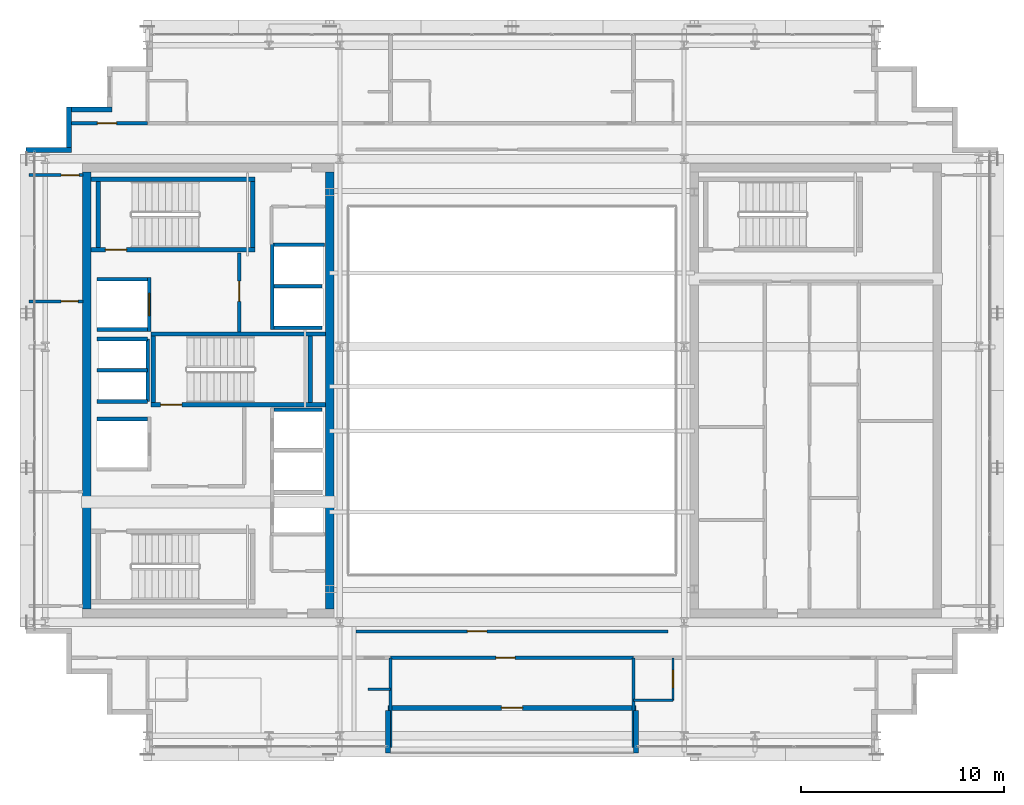
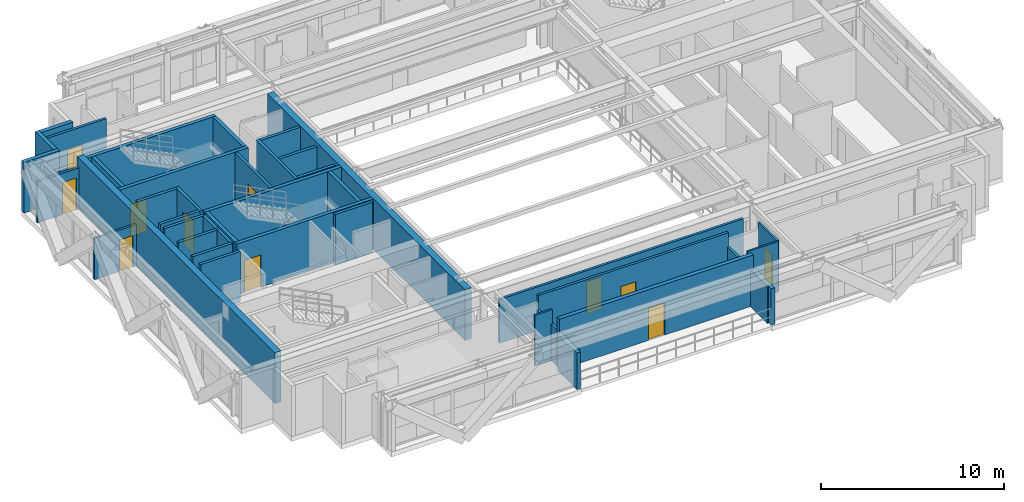
# One storey, part 22 of 29: 40 walls, 11 doors, 11 openings.
"""IFC4 building model written with IfcOpenShell, lengths in metres."""

from ifc_helpers import new_model, si_unit, direction, frame, frame_2d, origin, place, context, subcontext, project, spatial, rectangle, extrude, source, transform, mapped, material, layer, layer_set, type_object, element, fill, save


model = new_model("IFC4")

# Units and contexts
model_context = context("Model", 3, precision=1e-05, world=origin(), true_north=direction((0.0, 1.0)))
body_context = subcontext(model_context, "Body", "Model", "MODEL_VIEW")
ifc_project = project(units=[si_unit("LENGTHUNIT", "METRE"), si_unit("AREAUNIT", "SQUARE_METRE"), si_unit("VOLUMEUNIT", "CUBIC_METRE"), si_unit("PLANEANGLEUNIT", "RADIAN"), si_unit("MASSUNIT", "GRAM", prefix="KILO")], contexts=[model_context])

# Site, building, storey
site_placement = place(None, origin())
site = spatial("IfcSite", under=ifc_project, at=site_placement, CompositionType="ELEMENT")
building_placement = place(site_placement, origin())
building = spatial("IfcBuilding", under=site, at=building_placement, Name="Ocotamira Hotel", CompositionType="ELEMENT")
storey_placement = place(building_placement, frame((0.0, 0.0, 247.199951171875)))
storey = spatial("IfcBuildingStorey", under=building, at=storey_placement, Name="L62", CompositionType="ELEMENT", Elevation=247.199951171875)

# Walls
ifc_material_1 = material(Name="Concrete C50/60", Category="concrete")
ifc_layer_1 = layer(ifc_material_1, 0.39990234375)
ifc_layer_set_1 = layer_set([ifc_layer_1], Name="Concrete C50/60")
wall_type_1 = type_object("IfcWallType", Name="WL-CORE-400", PredefinedType="SHEAR", material=ifc_layer_set_1)
for number, where, z_axis, x_axis, name in (
    (1, (11.0, 15.199951171875, 0.0), (0.0, 0.0, 1.0), (0.0, 1.0, 0.0), "L62 Shear Core Wall WCORE-W"),
    (2, (23.0, 15.199951171875, 0.0), (0.0, 0.0, 1.0), (0.0, 1.0, 0.0), "L62 Shear Core Wall WCORE-E"),
):
    element("IfcWall", number, at=place(storey_placement, frame(where, z_axis=z_axis, x_axis=x_axis)), inside=storey, type_object=wall_type_1, Name=name, PredefinedType="SHEAR", context=body_context, shape_type="SweptSolid", body=[
        extrude(rectangle(XDim=21.60009765625, YDim=0.39990234375, at=frame_2d((10.800048828125, 0.0))), origin(), (0.0, 0.0, 1.0), 3.380126953125),
    ])
ifc_material_2 = material(Name="Precast concrete C45/55", Category="concrete")
ifc_layer_2 = layer(ifc_material_2, 0.25)
ifc_layer_set_2 = layer_set([ifc_layer_2], Name="Precast concrete C45/55")
wall_type_2 = type_object("IfcWallType", Name="WL-EXT-SER-250", PredefinedType="SOLIDWALL", material=ifc_layer_set_2)
for number, where, z_axis, x_axis, name in (
    (3, (12.25, 39.875, 0.0), (0.0, 0.0, 1.0), (-1.0, 0.0, 0.0), "L62 Serrated Corner Wall 16"),
    (4, (10.125, 40.0, 0.0), (0.0, 0.0, 1.0), (0.0, -1.0, 0.0), "L62 Serrated Corner Wall 17"),
):
    element("IfcWall", number, at=place(storey_placement, frame(where, z_axis=z_axis, x_axis=x_axis)), inside=storey, type_object=wall_type_2, Name=name, PredefinedType="SOLIDWALL", context=body_context, shape_type="SweptSolid", body=[
        extrude(rectangle(XDim=2.0, YDim=0.25, at=frame_2d((1.0, 0.0))), origin(), (0.0, 0.0, 1.0), 3.380126953125),
    ])
wall_1_placement = place(storey_placement, frame((10.25, 37.875, 0.0), z_axis=(0.0, 0.0, 1.0), x_axis=(-1.0, 0.0, 0.0)))
element("IfcWall", 5, at=wall_1_placement, inside=storey, type_object=wall_type_2, Name="L62 Serrated Corner Wall 18", PredefinedType="SOLIDWALL", context=body_context, shape_type="SweptSolid", body=[
    extrude(rectangle(XDim=2.25, YDim=0.25, at=frame_2d((1.125, 0.0))), origin(), (0.0, 0.0, 1.0), 3.380126953125),
])

# Wall, opening, door
wall_2_placement = place(storey_placement, frame((25.875, 10.324951171875, 0.0), z_axis=(0.0, 0.0, 1.0), x_axis=(1.0, 0.0, 0.0)))
wall_2 = element("IfcWall", 6, at=wall_2_placement, inside=storey, type_object=wall_type_2, Name="L62 Sky Terrace Back Wall 1", PredefinedType="SOLIDWALL", context=body_context, shape_type="SweptSolid", body=[
    extrude(rectangle(XDim=12.25, YDim=0.25, at=frame_2d((6.125, 0.0))), origin(), (0.0, 0.0, 1.0), 3.380126953125),
])
opening_1_placement = place(wall_2_placement, frame((5.60009765625, 0.0, 0.0)))
opening_1 = element("IfcOpeningElement", 7, at=opening_1_placement, cuts=wall_2, Name="Opening ED-3", PredefinedType="OPENING", context=body_context, shape_type="SweptSolid", body=[
    extrude(rectangle(XDim=1.050048828125, YDim=2.14990234375, at=frame_2d((0.52490234375, 1.074951171875))), frame((0.0, 0.135009765625, 0.0), z_axis=(0.0, -1.0, 0.0), x_axis=(1.0, 0.0, 0.0)), (0.0, 0.0, 1.0), 0.27001953125),
])
ifc_material_3 = material(Name="Thermally broken aluminium glazed door", Category="aluminium")
door_type_1 = type_object("IfcDoorType", Name="DR-TERR-1050", OperationType="NOTDEFINED", PredefinedType="DOOR", material=ifc_material_3)
shared_shape_1 = source(origin(), body_context, "Body", "SweptSolid", [
    extrude(rectangle(XDim=1.050048828125, YDim=2.14990234375, at=frame_2d((0.52490234375, 1.074951171875))), frame((0.0, 0.02490234375, 0.0), z_axis=(0.0, -1.0, 0.0), x_axis=(1.0, 0.0, 0.0)), (0.0, 0.0, 1.0), 0.050048828125),
])
door_1_placement = place(opening_1_placement, origin())
door_1 = element("IfcDoor", 8, at=door_1_placement, inside=storey, type_object=door_type_1, Name="L62 Sky Terrace Access Door 1 [ED-BAL-L62-1]", OperationType="SINGLE_SWING_RIGHT", OverallHeight=2.14990234375, OverallWidth=1.050048828125, PredefinedType="DOOR", context=body_context, shape_type="MappedRepresentation", body=[
    mapped(shared_shape_1, transform((0.0, 0.0, 0.0), scale=1.0)),
])
fill(opening_1, door_1)

# Walls
for number, where, z_axis, x_axis, name in (
    (9, (25.875, 8.10009765625, 0.0), (0.0, 0.0, 1.0), (0.0, 1.0, 0.0), "L62 Sky Terrace Return Wall 1L"),
    (10, (38.125, 8.10009765625, 0.0), (0.0, 0.0, 1.0), (0.0, 1.0, 0.0), "L62 Sky Terrace Return Wall 1R"),
):
    element("IfcWall", number, at=place(storey_placement, frame(where, z_axis=z_axis, x_axis=x_axis)), inside=storey, type_object=wall_type_2, Name=name, PredefinedType="SOLIDWALL", context=body_context, shape_type="SweptSolid", body=[
        extrude(rectangle(XDim=2.099853515625, YDim=0.25, at=frame_2d((1.0498046875, 0.0))), origin(), (0.0, 0.0, 1.0), 2.43212890625),
    ])

# Wall, opening, door
ifc_material_4 = material(Name="Acoustic double-layer fire gypsum board partition", Category="gypsum")
ifc_layer_3 = layer(ifc_material_4, 0.159912109375)
ifc_layer_set_3 = layer_set([ifc_layer_3], Name="Acoustic double-layer fire gypsum board partition")
wall_type_3 = type_object("IfcWallType", Name="WL-FIRE-160", PredefinedType="PARTITIONING", material=ifc_layer_set_3)
wall_3_placement = place(storey_placement, frame((18.530029296875, 28.89990234375, 0.0), z_axis=(0.0, 0.0, 1.0), x_axis=(0.0, 1.0, 0.0)))
wall_3 = element("IfcWall", 11, at=wall_3_placement, inside=storey, type_object=wall_type_3, Name="L62 Interior Wall PW-L62-FSAE2-E", PredefinedType="PARTITIONING", context=body_context, shape_type="SweptSolid", body=[
    extrude(rectangle(XDim=3.900146484375, YDim=0.159912109375, at=frame_2d((1.9501953125, 0.0))), origin(), (0.0, 0.0, 1.0), 3.380126953125),
])
opening_2_placement = place(wall_3_placement, frame((1.5, 0.0, 0.0)))
opening_2 = element("IfcOpeningElement", 12, at=opening_2_placement, cuts=wall_3, Name="Opening D-FR2", PredefinedType="OPENING", context=body_context, shape_type="SweptSolid", body=[
    extrude(rectangle(XDim=1.0, YDim=2.14990234375, at=frame_2d((0.5, 1.074951171875))), frame((0.0, 0.08984375, 0.0), z_axis=(0.0, -1.0, 0.0), x_axis=(1.0, 0.0, 0.0)), (0.0, 0.0, 1.0), 0.179931640625),
])
ifc_material_5 = material(Name="Fire-rated acoustic timber-veneer door", Category="wood")
door_type_2 = type_object("IfcDoorType", Name="DR-FIRE-1000", OperationType="NOTDEFINED", PredefinedType="DOOR", material=ifc_material_5)
shared_shape_2 = source(origin(), body_context, "Body", "SweptSolid", [
    extrude(rectangle(XDim=1.0, YDim=2.14990234375, at=frame_2d((0.5, 1.074951171875))), frame((0.0, 0.02490234375, 0.0), z_axis=(0.0, -1.0, 0.0), x_axis=(1.0, 0.0, 0.0)), (0.0, 0.0, 1.0), 0.050048828125),
])
door_2_placement = place(opening_2_placement, origin())
door_2 = element("IfcDoor", 13, at=door_2_placement, inside=storey, type_object=door_type_2, Name="L62 Door ID-L62-FSAE2-D [ID-L62-FSAE2-D]", OperationType="SINGLE_SWING_RIGHT", OverallHeight=2.14990234375, OverallWidth=1.0, PredefinedType="DOOR", context=body_context, shape_type="MappedRepresentation", body=[
    mapped(shared_shape_2, transform((0.0, 0.0, 0.0), scale=1.0)),
])
fill(opening_2, door_2)

wall_4_placement = place(storey_placement, frame((26.0, 12.800048828125, 0.0), z_axis=(0.0, 0.0, 1.0), x_axis=(1.0, 0.0, 0.0)))
wall_4 = element("IfcWall", 14, at=wall_4_placement, inside=storey, type_object=wall_type_3, Name="L62 Interior Wall PW-L62-Z4C-TLGN", PredefinedType="PARTITIONING", context=body_context, shape_type="SweptSolid", body=[
    extrude(rectangle(XDim=12.0, YDim=0.159912109375, at=frame_2d((6.0, 0.0))), origin(), (0.0, 0.0, 1.0), 3.380126953125),
])
opening_3_placement = place(wall_4_placement, frame((5.199951171875, 0.0, 0.0)))
opening_3 = element("IfcOpeningElement", 15, at=opening_3_placement, cuts=wall_4, Name="Opening D-SV4", PredefinedType="OPENING", context=body_context, shape_type="SweptSolid", body=[
    extrude(rectangle(XDim=0.9599609375, YDim=2.14990234375, at=frame_2d((0.47998046875, 1.074951171875))), frame((0.0, 0.08984375, 0.0), z_axis=(0.0, -1.0, 0.0), x_axis=(1.0, 0.0, 0.0)), (0.0, 0.0, 1.0), 0.179931640625),
])
ifc_material_6 = material(Name="Fire-rated accessible walnut salon door", Category="wood")
door_type_3 = type_object("IfcDoorType", Name="DR-SERV-960", OperationType="NOTDEFINED", PredefinedType="DOOR", material=ifc_material_6)
shared_shape_3 = source(origin(), body_context, "Body", "SweptSolid", [
    extrude(rectangle(XDim=0.9599609375, YDim=2.14990234375, at=frame_2d((0.47998046875, 1.074951171875))), frame((0.0, 0.02490234375, 0.0), z_axis=(0.0, -1.0, 0.0), x_axis=(1.0, 0.0, 0.0)), (0.0, 0.0, 1.0), 0.050048828125),
])
door_3_placement = place(opening_3_placement, origin())
door_3 = element("IfcDoor", 16, at=door_3_placement, inside=storey, type_object=door_type_3, Name="L62 Door ID-L62-Z4C-TLGD [ID-L62-Z4C-TLGD]", OperationType="SINGLE_SWING_RIGHT", OverallHeight=2.14990234375, OverallWidth=0.9599609375, PredefinedType="DOOR", context=body_context, shape_type="MappedRepresentation", body=[
    mapped(shared_shape_3, transform((0.0, 0.0, 0.0), scale=1.0)),
])
fill(opening_3, door_3)

wall_5_placement = place(storey_placement, frame((10.0, 39.199951171875, 0.0), z_axis=(0.0, 0.0, 1.0), x_axis=(1.0, 0.0, 0.0)))
wall_5 = element("IfcWall", 17, at=wall_5_placement, inside=storey, type_object=wall_type_3, Name="L62 Interior Wall PW-L62-Z4CNW-CW", PredefinedType="PARTITIONING", context=body_context, shape_type="SweptSolid", body=[
    extrude(rectangle(XDim=4.0, YDim=0.159912109375, at=frame_2d((2.0, 0.0))), origin(), (0.0, 0.0, 1.0), 3.380126953125),
])
opening_4_placement = place(wall_5_placement, frame((1.52001953125, 0.0, 0.0)))
opening_4 = element("IfcOpeningElement", 18, at=opening_4_placement, cuts=wall_5, Name="Opening D-SV4", PredefinedType="OPENING", context=body_context, shape_type="SweptSolid", body=[
    extrude(rectangle(XDim=0.9599609375, YDim=2.14990234375, at=frame_2d((0.47998046875, 1.074951171875))), frame((0.0, 0.08984375, 0.0), z_axis=(0.0, -1.0, 0.0), x_axis=(1.0, 0.0, 0.0)), (0.0, 0.0, 1.0), 0.179931640625),
])
door_4_placement = place(opening_4_placement, origin())
door_4 = element("IfcDoor", 19, at=door_4_placement, inside=storey, type_object=door_type_3, Name="L62 Door ID-L62-Z4CNW-CD [ID-L62-Z4CNW-CD]", OperationType="SINGLE_SWING_LEFT", OverallHeight=2.14990234375, OverallWidth=0.9599609375, PredefinedType="DOOR", context=body_context, shape_type="MappedRepresentation", body=[
    mapped(shared_shape_3, transform((0.0, 0.0, 0.0), scale=1.0)),
])
fill(opening_4, door_4)

# Wall
ifc_material_7 = material(Name="Moisture-resistant en-suite tile and gypsum partition", Category="gypsum")
ifc_layer_4 = layer(ifc_material_7, 0.1201171875)
ifc_layer_set_4 = layer_set([ifc_layer_4], Name="Moisture-resistant en-suite tile and gypsum partition")
wall_type_4 = type_object("IfcWallType", Name="WL-PART-120", PredefinedType="PARTITIONING", material=ifc_layer_set_4)
wall_6_placement = place(storey_placement, frame((24.89990234375, 11.25, 0.0), z_axis=(0.0, 0.0, 1.0), x_axis=(1.0, 0.0, 0.0)))
element("IfcWall", 20, at=wall_6_placement, inside=storey, type_object=wall_type_4, Name="L62 Interior Wall PW-L62-Z4CSW-DRN1", PredefinedType="PARTITIONING", context=body_context, shape_type="SweptSolid", body=[
    extrude(rectangle(XDim=1.10009765625, YDim=0.1201171875, at=frame_2d((0.550048828125, 0.0))), origin(), (0.0, 0.0, 1.0), 3.380126953125),
])

# Wall, opening, door
wall_7_placement = place(storey_placement, frame((39.949951171875, 10.699951171875, 0.0), z_axis=(0.0, 0.0, 1.0), x_axis=(0.0, 1.0, 0.0)))
wall_7 = element("IfcWall", 21, at=wall_7_placement, inside=storey, type_object=wall_type_4, Name="L62 Interior Wall PW-L62-Z4CSE-BAE1", PredefinedType="PARTITIONING", context=body_context, shape_type="SweptSolid", body=[
    extrude(rectangle(XDim=2.10009765625, YDim=0.1201171875, at=frame_2d((1.050048828125, 0.0))), origin(), (0.0, 0.0, 1.0), 3.380126953125),
])
opening_5_placement = place(wall_7_placement, frame((0.6201171875, 0.0, 0.0)))
opening_5 = element("IfcOpeningElement", 22, at=opening_5_placement, cuts=wall_7, Name="Opening D-BA1", PredefinedType="OPENING", context=body_context, shape_type="SweptSolid", body=[
    extrude(rectangle(XDim=0.860107421875, YDim=2.10009765625, at=frame_2d((0.43017578125, 1.050048828125))), frame((0.0, 0.070068359375, 0.0), z_axis=(0.0, -1.0, 0.0), x_axis=(1.0, 0.0, 0.0)), (0.0, 0.0, 1.0), 0.14013671875),
])
ifc_material_8 = material(Name="Moisture-sealed en-suite timber door", Category="wood")
door_type_4 = type_object("IfcDoorType", Name="DR-BATH-860", OperationType="NOTDEFINED", PredefinedType="DOOR", material=ifc_material_8)
shared_shape_4 = source(origin(), body_context, "Body", "SweptSolid", [
    extrude(rectangle(XDim=0.860107421875, YDim=2.10009765625, at=frame_2d((0.43017578125, 1.050048828125))), frame((0.0, 0.02490234375, 0.0), z_axis=(0.0, -1.0, 0.0), x_axis=(1.0, 0.0, 0.0)), (0.0, 0.0, 1.0), 0.050048828125),
])
door_5_placement = place(opening_5_placement, origin())
door_5 = element("IfcDoor", 23, at=door_5_placement, inside=storey, type_object=door_type_4, Name="L62 Door ID-L62-Z4CSE-BAD1 [ID-L62-Z4CSE-BAD1]", OperationType="SINGLE_SWING_RIGHT", OverallHeight=2.10009765625, OverallWidth=0.860107421875, PredefinedType="DOOR", context=body_context, shape_type="MappedRepresentation", body=[
    mapped(shared_shape_4, transform((0.0, 0.0, 0.0), scale=1.0)),
])
fill(opening_5, door_5)

# Wall
wall_8_placement = place(storey_placement, frame((38.0, 10.699951171875, 0.0), z_axis=(0.0, 0.0, 1.0), x_axis=(1.0, 0.0, 0.0)))
element("IfcWall", 24, at=wall_8_placement, inside=storey, type_object=wall_type_4, Name="L62 Interior Wall PW-L62-Z4CSE-BAS1", PredefinedType="PARTITIONING", context=body_context, shape_type="SweptSolid", body=[
    extrude(rectangle(XDim=1.949951171875, YDim=0.1201171875, at=frame_2d((0.97509765625, 0.0))), origin(), (0.0, 0.0, 1.0), 3.380126953125),
])

# Wall, opening, door
ifc_material_9 = material(Name="Acoustic hospitality gypsum board partition", Category="gypsum")
ifc_layer_5 = layer(ifc_material_9, 0.14208984375)
ifc_layer_set_5 = layer_set([ifc_layer_5], Name="Acoustic hospitality gypsum board partition")
wall_type_5 = type_object("IfcWallType", Name="WL-PART-142", PredefinedType="PARTITIONING", material=ifc_layer_set_5)
wall_9_placement = place(storey_placement, frame((8.159912109375, 30.39990234375, 0.0), z_axis=(0.0, 0.0, 1.0), x_axis=(1.0, 0.0, 0.0)))
wall_9 = element("IfcWall", 25, at=wall_9_placement, inside=storey, type_object=wall_type_5, Name="L62 Interior Wall PW-L62-Z4CW-DV2", PredefinedType="PARTITIONING", context=body_context, shape_type="SweptSolid", body=[
    extrude(rectangle(XDim=2.66015625, YDim=0.14208984375, at=frame_2d((1.330078125, 0.0))), origin(), (0.0, 0.0, 1.0), 2.762939453125),
])
opening_6_placement = place(wall_9_placement, frame((1.580078125, 0.0, 0.0)))
opening_6 = element("IfcOpeningElement", 26, at=opening_6_placement, cuts=wall_9, Name="Opening D-SV1", PredefinedType="OPENING", context=body_context, shape_type="SweptSolid", body=[
    extrude(rectangle(XDim=0.840087890625, YDim=2.10009765625, at=frame_2d((0.419921875, 1.050048828125))), frame((0.0, 0.0810546875, 0.0), z_axis=(0.0, -1.0, 0.0), x_axis=(1.0, 0.0, 0.0)), (0.0, 0.0, 1.0), 0.162109375),
])
ifc_material_10 = material(Name="Fire-rated painted steel service door", Category="steel")
door_type_5 = type_object("IfcDoorType", Name="DR-SERV-840", OperationType="NOTDEFINED", PredefinedType="DOOR", material=ifc_material_10)
shared_shape_5 = source(origin(), body_context, "Body", "SweptSolid", [
    extrude(rectangle(XDim=0.840087890625, YDim=2.10009765625, at=frame_2d((0.419921875, 1.050048828125))), frame((0.0, 0.02490234375, 0.0), z_axis=(0.0, -1.0, 0.0), x_axis=(1.0, 0.0, 0.0)), (0.0, 0.0, 1.0), 0.050048828125),
])
door_6_placement = place(opening_6_placement, origin())
door_6 = element("IfcDoor", 27, at=door_6_placement, inside=storey, type_object=door_type_5, Name="L62 Door ID-L62-Z4CW-DV2D [ID-L62-Z4CW-DV2D]", OperationType="SINGLE_SWING_RIGHT", OverallHeight=2.10009765625, OverallWidth=0.840087890625, PredefinedType="DOOR", context=body_context, shape_type="MappedRepresentation", body=[
    mapped(shared_shape_5, transform((0.0, 0.0, 0.0), scale=1.0)),
])
fill(opening_6, door_6)

ifc_layer_6 = layer(ifc_material_9, 0.14990234375)
ifc_layer_set_6 = layer_set([ifc_layer_6], Name="Acoustic hospitality gypsum board partition")
wall_type_6 = type_object("IfcWallType", Name="WL-PART-150", PredefinedType="PARTITIONING", material=ifc_layer_set_6)
wall_10_placement = place(storey_placement, frame((24.300048828125, 14.10009765625, 0.0), z_axis=(0.0, 0.0, 1.0), x_axis=(1.0, 0.0, 0.0)))
wall_10 = element("IfcWall", 28, at=wall_10_placement, inside=storey, type_object=wall_type_6, Name="L62 Interior Wall PW-L62-Z4C-ATRSN", PredefinedType="PARTITIONING", context=body_context, shape_type="SweptSolid", body=[
    extrude(rectangle(XDim=15.39990234375, YDim=0.14990234375, at=frame_2d((7.699951171875, 0.0))), origin(), (0.0, 0.0, 1.0), 2.923095703125),
])
opening_7_placement = place(wall_10_placement, frame((5.5, 0.0, 0.0)))
opening_7 = element("IfcOpeningElement", 29, at=opening_7_placement, cuts=wall_10, Name="Opening D-SV4", PredefinedType="OPENING", context=body_context, shape_type="SweptSolid", body=[
    extrude(rectangle(XDim=0.9599609375, YDim=2.14990234375, at=frame_2d((0.47998046875, 1.074951171875))), frame((0.0, 0.0849609375, 0.0), z_axis=(0.0, -1.0, 0.0), x_axis=(1.0, 0.0, 0.0)), (0.0, 0.0, 1.0), 0.169921875),
])
door_7_placement = place(opening_7_placement, origin())
door_7 = element("IfcDoor", 30, at=door_7_placement, inside=storey, type_object=door_type_3, Name="L62 Door ID-L62-Z4C-ASD [ID-L62-Z4C-ASD]", OperationType="SINGLE_SWING_LEFT", OverallHeight=2.14990234375, OverallWidth=0.9599609375, PredefinedType="DOOR", context=body_context, shape_type="MappedRepresentation", body=[
    mapped(shared_shape_3, transform((0.0, 0.0, 0.0), scale=1.0)),
])
fill(opening_7, door_7)

wall_11_placement = place(storey_placement, frame((8.159912109375, 36.639892578125, 0.0), z_axis=(0.0, 0.0, 1.0), x_axis=(1.0, 0.0, 0.0)))
wall_11 = element("IfcWall", 31, at=wall_11_placement, inside=storey, type_object=wall_type_6, Name="L62 Interior Wall PW-L62-Z4CW-WN", PredefinedType="PARTITIONING", context=body_context, shape_type="SweptSolid", body=[
    extrude(rectangle(XDim=2.66015625, YDim=0.14990234375, at=frame_2d((1.330078125, 0.0))), origin(), (0.0, 0.0, 1.0), 2.762939453125),
])
opening_8_placement = place(wall_11_placement, frame((1.580078125, 0.0, 0.0)))
opening_8 = element("IfcOpeningElement", 32, at=opening_8_placement, cuts=wall_11, Name="Opening D-SV2", PredefinedType="OPENING", context=body_context, shape_type="SweptSolid", body=[
    extrude(rectangle(XDim=0.8798828125, YDim=2.14990234375, at=frame_2d((0.43994140625, 1.074951171875))), frame((0.0, 0.0849609375, 0.0), z_axis=(0.0, -1.0, 0.0), x_axis=(1.0, 0.0, 0.0)), (0.0, 0.0, 1.0), 0.169921875),
])
door_type_6 = type_object("IfcDoorType", Name="DR-SERV-880", OperationType="NOTDEFINED", PredefinedType="DOOR", material=ifc_material_10)
shared_shape_6 = source(origin(), body_context, "Body", "SweptSolid", [
    extrude(rectangle(XDim=0.8798828125, YDim=2.14990234375, at=frame_2d((0.43994140625, 1.074951171875))), frame((0.0, 0.02490234375, 0.0), z_axis=(0.0, -1.0, 0.0), x_axis=(1.0, 0.0, 0.0)), (0.0, 0.0, 1.0), 0.050048828125),
])
door_8_placement = place(opening_8_placement, origin())
door_8 = element("IfcDoor", 33, at=door_8_placement, inside=storey, type_object=door_type_6, Name="L62 Door ID-L62-Z4CW-DN [ID-L62-Z4CW-DN]", OperationType="SINGLE_SWING_RIGHT", OverallHeight=2.14990234375, OverallWidth=0.8798828125, PredefinedType="DOOR", context=body_context, shape_type="MappedRepresentation", body=[
    mapped(shared_shape_6, transform((0.0, 0.0, 0.0), scale=1.0)),
])
fill(opening_8, door_8)

# Walls
ifc_material_11 = material(Name="Acoustic double-stud hospitality gypsum partition", Category="gypsum")
ifc_layer_7 = layer(ifc_material_11, 0.159912109375)
ifc_layer_set_7 = layer_set([ifc_layer_7], Name="Acoustic double-stud hospitality gypsum partition")
wall_type_7 = type_object("IfcWallType", Name="WL-PART-160", PredefinedType="PARTITIONING", material=ifc_layer_set_7)
for number, where, z_axis, x_axis, name in (
    (34, (26.0, 8.360107421875, 0.0), (0.0, 0.0, 1.0), (0.0, 1.0, 0.0), "L62 Interior Wall PW-L62-Z4CSW-PWEND"),
    (35, (38.0, 8.360107421875, 0.0), (0.0, 0.0, 1.0), (0.0, 1.0, 0.0), "L62 Interior Wall PW-L62-Z4CSE-PW0"),
):
    element("IfcWall", number, at=place(storey_placement, frame(where, z_axis=z_axis, x_axis=x_axis)), inside=storey, type_object=wall_type_7, Name=name, PredefinedType="PARTITIONING", context=body_context, shape_type="SweptSolid", body=[
        extrude(rectangle(XDim=4.43994140625, YDim=0.159912109375, at=frame_2d((2.219970703125, 0.0))), origin(), (0.0, 0.0, 1.0), 2.43212890625),
    ])
ifc_material_12 = material(Name="Fire-rated gypsum shaftliner board assembly", Category="gypsum")
ifc_layer_8 = layer(ifc_material_12, 0.179931640625)
ifc_layer_set_8 = layer_set([ifc_layer_8], Name="Fire-rated gypsum shaftliner board assembly")
wall_type_8 = type_object("IfcWallType", Name="WL-SHAFT-180", PredefinedType="SOLIDWALL", material=ifc_layer_set_8)
wall_12_placement = place(storey_placement, frame((20.25, 25.050048828125, 0.0), z_axis=(0.0, 0.0, 1.0), x_axis=(1.0, 0.0, 0.0)))
element("IfcWall", 36, at=wall_12_placement, inside=storey, type_object=wall_type_8, Name="L62 Interior Wall PW-L62-LFW-BANK-high-N", PredefinedType="SOLIDWALL", context=body_context, shape_type="SweptSolid", body=[
    extrude(rectangle(XDim=2.360107421875, YDim=0.179931640625, at=frame_2d((1.18017578125, 0.0))), origin(), (0.0, 0.0, 1.0), 3.380126953125),
])
wall_13_placement = place(storey_placement, frame((20.159912109375, 29.0, 0.0), z_axis=(0.0, 0.0, 1.0), x_axis=(0.0, 1.0, 0.0)))
element("IfcWall", 37, at=wall_13_placement, inside=storey, type_object=wall_type_8, Name="L62 Interior Wall PW-L62-LFW-BANK-obs-F", PredefinedType="SOLIDWALL", context=body_context, shape_type="SweptSolid", body=[
    extrude(rectangle(XDim=4.2900390625, YDim=0.179931640625, at=frame_2d((2.14501953125, 0.0))), origin(), (0.0, 0.0, 1.0), 3.380126953125),
])
wall_14_placement = place(storey_placement, frame((20.25, 29.090087890625, 0.0), z_axis=(0.0, 0.0, 1.0), x_axis=(1.0, 0.0, 0.0)))
element("IfcWall", 38, at=wall_14_placement, inside=storey, type_object=wall_type_8, Name="L62 Interior Wall PW-L62-LFW-BANK-obs-S", PredefinedType="SOLIDWALL", context=body_context, shape_type="SweptSolid", body=[
    extrude(rectangle(XDim=2.360107421875, YDim=0.179931640625, at=frame_2d((1.18017578125, 0.0))), origin(), (0.0, 0.0, 1.0), 3.380126953125),
])
wall_15_placement = place(storey_placement, frame((20.25, 33.199951171875, 0.0), z_axis=(0.0, 0.0, 1.0), x_axis=(1.0, 0.0, 0.0)))
element("IfcWall", 39, at=wall_15_placement, inside=storey, type_object=wall_type_8, Name="L62 Interior Wall PW-L62-LFW-BANK-obs-N", PredefinedType="SOLIDWALL", context=body_context, shape_type="SweptSolid", body=[
    extrude(rectangle(XDim=2.5, YDim=0.179931640625, at=frame_2d((1.25, 0.0))), origin(), (0.0, 0.0, 1.0), 3.380126953125),
])
wall_16_placement = place(storey_placement, frame((20.25, 31.14501953125, 0.0), z_axis=(0.0, 0.0, 1.0), x_axis=(1.0, 0.0, 0.0)))
element("IfcWall", 40, at=wall_16_placement, inside=storey, type_object=wall_type_8, Name="L62 Interior Wall PW-L62-LFW-DIV-LF-OBS1", PredefinedType="SOLIDWALL", context=body_context, shape_type="SweptSolid", body=[
    extrude(rectangle(XDim=2.360107421875, YDim=0.179931640625, at=frame_2d((1.18017578125, 0.0))), origin(), (0.0, 0.0, 1.0), 3.380126953125),
])
for number, where, z_axis, x_axis, name in (
    (41, (11.5, 24.590087890625, 0.0), (0.0, 0.0, 1.0), (1.0, 0.0, 0.0), "L62 Interior Wall PW-L62-LFW-LF-FSAE1-N"),
    (42, (11.5, 29.010009765625, 0.0), (0.0, 0.0, 1.0), (1.0, 0.0, 0.0), "L62 Interior Wall PW-L62-LFW-LF-FSAE2-S"),
    (43, (11.5, 31.489990234375, 0.0), (0.0, 0.0, 1.0), (1.0, 0.0, 0.0), "L62 Interior Wall PW-L62-LFW-LF-FSAE2-N"),
):
    element("IfcWall", number, at=place(storey_placement, frame(where, z_axis=z_axis, x_axis=x_axis)), inside=storey, type_object=wall_type_8, Name=name, PredefinedType="SOLIDWALL", context=body_context, shape_type="SweptSolid", body=[
        extrude(rectangle(XDim=2.5, YDim=0.179931640625, at=frame_2d((1.25, 0.0))), origin(), (0.0, 0.0, 1.0), 3.380126953125),
    ])

# Wall, opening, door
wall_17_placement = place(storey_placement, frame((14.090087890625, 28.919921875, 0.0), z_axis=(0.0, 0.0, 1.0), x_axis=(0.0, 1.0, 0.0)))
wall_17 = element("IfcWall", 44, at=wall_17_placement, inside=storey, type_object=wall_type_8, Name="L62 Interior Wall PW-L62-LFW-LF-FSAE2-E", PredefinedType="SOLIDWALL", context=body_context, shape_type="SweptSolid", body=[
    extrude(rectangle(XDim=2.66015625, YDim=0.179931640625, at=frame_2d((1.330078125, 0.0))), origin(), (0.0, 0.0, 1.0), 3.380126953125),
])
opening_9_placement = place(wall_17_placement, frame((0.780029296875, 0.0, 0.0)))
opening_9 = element("IfcOpeningElement", 45, at=opening_9_placement, cuts=wall_17, Name="Opening LD-LF-FSAE2", PredefinedType="OPENING", context=body_context, shape_type="SweptSolid", body=[
    extrude(rectangle(XDim=1.10009765625, YDim=2.199951171875, at=frame_2d((0.550048828125, 1.10009765625))), frame((0.0, 0.10009765625, 0.0), z_axis=(0.0, -1.0, 0.0), x_axis=(1.0, 0.0, 0.0)), (0.0, 0.0, 1.0), 0.199951171875),
])
ifc_material_13 = material(Name="Brushed pale-metal stainless elevator landing door", Category="steel")
door_type_7 = type_object("IfcDoorType", Name="DR-LIFT-1100", OperationType="NOTDEFINED", PredefinedType="DOOR", material=ifc_material_13)
shared_shape_7 = source(origin(), body_context, "Body", "SweptSolid", [
    extrude(rectangle(XDim=1.10009765625, YDim=2.199951171875, at=frame_2d((0.550048828125, 1.10009765625))), frame((0.0, 0.02490234375, 0.0), z_axis=(0.0, -1.0, 0.0), x_axis=(1.0, 0.0, 0.0)), (0.0, 0.0, 1.0), 0.050048828125),
])
door_9_placement = place(opening_9_placement, origin())
door_9 = element("IfcDoor", 46, at=door_9_placement, inside=storey, type_object=door_type_7, Name="L62 Landing Door LD-LF-FSAE2 [ID-L62-LD-LF-FSAE2]", OperationType="DOUBLE_DOOR_SLIDING", OverallHeight=2.199951171875, OverallWidth=1.10009765625, PredefinedType="DOOR", context=body_context, shape_type="MappedRepresentation", body=[
    mapped(shared_shape_7, transform((0.0, 0.0, 0.0), scale=1.0)),
])
fill(opening_9, door_9)

# Walls
for number, where, z_axis, x_axis, name in (
    (47, (11.5, 25.4599609375, 0.0), (0.0, 0.0, 1.0), (1.0, 0.0, 0.0), "L62 Interior Wall PW-L62-RSW-S"),
    (48, (11.5, 27.0, 0.0), (0.0, 0.0, 1.0), (1.0, 0.0, 0.0), "L62 Interior Wall PW-L62-RSW-MID"),
    (49, (11.5, 28.5400390625, 0.0), (0.0, 0.0, 1.0), (1.0, 0.0, 0.0), "L62 Interior Wall PW-L62-RSW-N"),
):
    element("IfcWall", number, at=place(storey_placement, frame(where, z_axis=z_axis, x_axis=x_axis)), inside=storey, type_object=wall_type_8, Name=name, PredefinedType="SOLIDWALL", context=body_context, shape_type="SweptSolid", body=[
        extrude(rectangle(XDim=2.510009765625, YDim=0.179931640625, at=frame_2d((1.2548828125, 0.0))), origin(), (0.0, 0.0, 1.0), 3.380126953125),
    ])
wall_18_placement = place(storey_placement, frame((14.010009765625, 25.4599609375, 0.0), z_axis=(0.0, 0.0, 1.0), x_axis=(0.0, 1.0, 0.0)))
element("IfcWall", 50, at=wall_18_placement, inside=storey, type_object=wall_type_8, Name="L62 Interior Wall PW-L62-RSW-E", PredefinedType="SOLIDWALL", context=body_context, shape_type="SweptSolid", body=[
    extrude(rectangle(XDim=3.080078125, YDim=0.179931640625, at=frame_2d((1.5400390625, 0.0))), origin(), (0.0, 0.0, 1.0), 3.380126953125),
])

# Wall, opening, door
ifc_layer_9 = layer(ifc_material_1, 0.219970703125)
ifc_layer_set_9 = layer_set([ifc_layer_9], Name="Concrete C50/60")
wall_type_9 = type_object("IfcWallType", Name="WL-STAIR-220", PredefinedType="SHEAR", material=ifc_layer_set_9)
wall_19_placement = place(storey_placement, frame((11.199951171875, 32.93994140625, 0.0), z_axis=(0.0, 0.0, 1.0), x_axis=(1.0, 0.0, 0.0)))
wall_19 = element("IfcWall", 51, at=wall_19_placement, inside=storey, type_object=wall_type_9, Name="L62 Stair Shaft Structural Wall ST-2-S", PredefinedType="SHEAR", context=body_context, shape_type="SweptSolid", body=[
    extrude(rectangle(XDim=8.110107421875, YDim=0.219970703125, at=frame_2d((4.05517578125, 0.0))), origin(), (0.0, 0.0, 1.0), 3.400146484375),
])
opening_10_placement = place(wall_19_placement, frame((0.719970703125, 0.0, 0.0)))
opening_10 = element("IfcOpeningElement", 52, at=opening_10_placement, cuts=wall_19, Name="Opening D-ST2", PredefinedType="OPENING", context=body_context, shape_type="SweptSolid", body=[
    extrude(rectangle(XDim=1.050048828125, YDim=2.14990234375, at=frame_2d((0.52490234375, 1.074951171875))), frame((0.0, 0.1201171875, 0.0), z_axis=(0.0, -1.0, 0.0), x_axis=(1.0, 0.0, 0.0)), (0.0, 0.0, 1.0), 0.239990234375),
])
ifc_material_14 = material(Name="Insulated painted hollow-metal fire exit door", Category="steel")
door_type_8 = type_object("IfcDoorType", Name="DR-STAIR-1050", OperationType="NOTDEFINED", PredefinedType="DOOR", material=ifc_material_14)
door_10_placement = place(opening_10_placement, origin())
door_10 = element("IfcDoor", 53, at=door_10_placement, inside=storey, type_object=door_type_8, Name="L62 Door ID-L62-STD-ST-2 [ID-L62-STD-ST-2]", OperationType="SINGLE_SWING_RIGHT", OverallHeight=2.14990234375, OverallWidth=1.050048828125, PredefinedType="DOOR", context=body_context, shape_type="MappedRepresentation", body=[
    mapped(shared_shape_1, transform((0.0, 0.0, 0.0), scale=1.0)),
])
fill(opening_10, door_10)

# Walls
wall_20_placement = place(storey_placement, frame((11.199951171875, 36.43994140625, 0.0), z_axis=(0.0, 0.0, 1.0), x_axis=(1.0, 0.0, 0.0)))
element("IfcWall", 54, at=wall_20_placement, inside=storey, type_object=wall_type_9, Name="L62 Stair Shaft Structural Wall ST-2-N", PredefinedType="SHEAR", context=body_context, shape_type="SweptSolid", body=[
    extrude(rectangle(XDim=8.110107421875, YDim=0.219970703125, at=frame_2d((4.05517578125, 0.0))), origin(), (0.0, 0.0, 1.0), 3.400146484375),
])
for number, where, z_axis, x_axis, name in (
    (55, (11.56005859375, 33.050048828125, 0.0), (0.0, 0.0, 1.0), (0.0, 1.0, 0.0), "L62 Stair Shaft Structural Wall ST-2-W"),
    (56, (19.199951171875, 33.050048828125, 0.0), (0.0, 0.0, 1.0), (0.0, 1.0, 0.0), "L62 Stair Shaft Structural Wall ST-2-E"),
):
    element("IfcWall", number, at=place(storey_placement, frame(where, z_axis=z_axis, x_axis=x_axis)), inside=storey, type_object=wall_type_9, Name=name, PredefinedType="SHEAR", context=body_context, shape_type="SweptSolid", body=[
        extrude(rectangle(XDim=3.280029296875, YDim=0.219970703125, at=frame_2d((1.64013671875, 0.0))), origin(), (0.0, 0.0, 1.0), 3.400146484375),
    ])

# Wall, opening, door
wall_21_placement = place(storey_placement, frame((14.179931640625, 25.2900390625, 0.0), z_axis=(0.0, 0.0, 1.0), x_axis=(1.0, 0.0, 0.0)))
wall_21 = element("IfcWall", 57, at=wall_21_placement, inside=storey, type_object=wall_type_9, Name="L62 Stair Shaft Structural Wall ST-3-S", PredefinedType="SHEAR", context=body_context, shape_type="SweptSolid", body=[
    extrude(rectangle(XDim=8.6201171875, YDim=0.219970703125, at=frame_2d((4.31005859375, 0.0))), origin(), (0.0, 0.0, 1.0), 3.400146484375),
])
opening_11_placement = place(wall_21_placement, frame((0.469970703125, 0.0, 0.0)))
opening_11 = element("IfcOpeningElement", 58, at=opening_11_placement, cuts=wall_21, Name="Opening D-ST2", PredefinedType="OPENING", context=body_context, shape_type="SweptSolid", body=[
    extrude(rectangle(XDim=1.050048828125, YDim=2.14990234375, at=frame_2d((0.52490234375, 1.074951171875))), frame((0.0, 0.1201171875, 0.0), z_axis=(0.0, -1.0, 0.0), x_axis=(1.0, 0.0, 0.0)), (0.0, 0.0, 1.0), 0.239990234375),
])
door_11_placement = place(opening_11_placement, origin())
door_11 = element("IfcDoor", 59, at=door_11_placement, inside=storey, type_object=door_type_8, Name="L62 Door ID-L62-STD-ST-3 [ID-L62-STD-ST-3]", OperationType="SINGLE_SWING_LEFT", OverallHeight=2.14990234375, OverallWidth=1.050048828125, PredefinedType="DOOR", context=body_context, shape_type="MappedRepresentation", body=[
    mapped(shared_shape_1, transform((0.0, 0.0, 0.0), scale=1.0)),
])
fill(opening_11, door_11)

# Walls
wall_22_placement = place(storey_placement, frame((14.179931640625, 28.7900390625, 0.0), z_axis=(0.0, 0.0, 1.0), x_axis=(1.0, 0.0, 0.0)))
element("IfcWall", 60, at=wall_22_placement, inside=storey, type_object=wall_type_9, Name="L62 Stair Shaft Structural Wall ST-3-N", PredefinedType="SHEAR", context=body_context, shape_type="SweptSolid", body=[
    extrude(rectangle(XDim=8.6201171875, YDim=0.219970703125, at=frame_2d((4.31005859375, 0.0))), origin(), (0.0, 0.0, 1.0), 3.400146484375),
])
for number, where, z_axis, x_axis, name in (
    (61, (14.2900390625, 25.39990234375, 0.0), (0.0, 0.0, 1.0), (0.0, 1.0, 0.0), "L62 Stair Shaft Structural Wall ST-3-W"),
    (62, (22.030029296875, 25.39990234375, 0.0), (0.0, 0.0, 1.0), (0.0, 1.0, 0.0), "L62 Stair Shaft Structural Wall ST-3-E"),
):
    element("IfcWall", number, at=place(storey_placement, frame(where, z_axis=z_axis, x_axis=x_axis)), inside=storey, type_object=wall_type_9, Name=name, PredefinedType="SHEAR", context=body_context, shape_type="SweptSolid", body=[
        extrude(rectangle(XDim=3.280029296875, YDim=0.219970703125, at=frame_2d((1.64013671875, 0.0))), origin(), (0.0, 0.0, 1.0), 3.400146484375),
    ])

save(model, "model.ifc")
